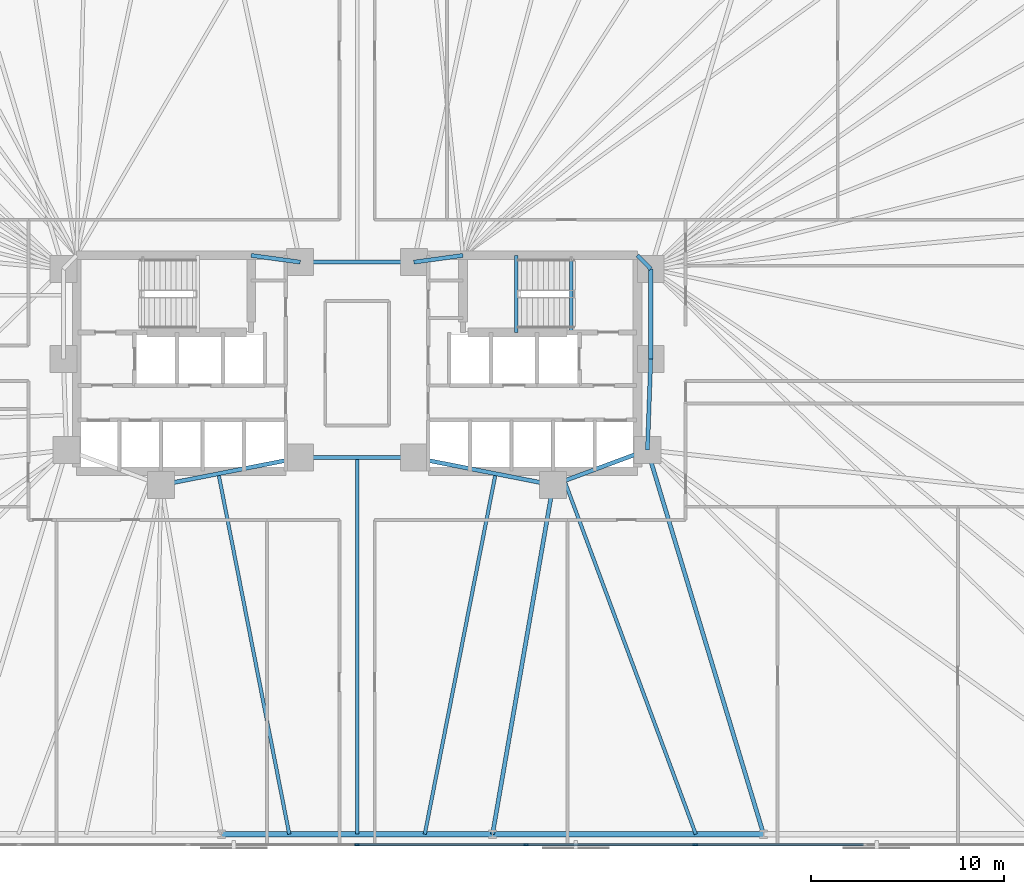
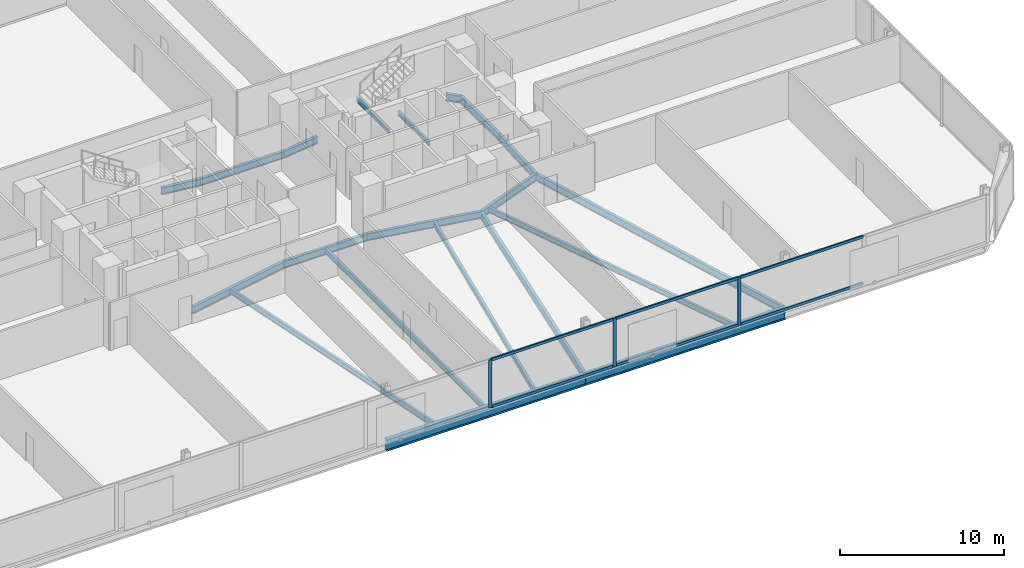
# One storey, part 7 of 17: 20 beams, 9 members, 1 element without a shape of its own.
"""IFC4 building model written with IfcOpenShell, lengths in metres."""

from ifc_helpers import new_model, si_unit, direction, frame, origin, origin_2d, place, context, subcontext, project, spatial, rectangle, i_section, extrude, material, material_profile, profile_set, type_object, element, aggregate, save


model = new_model("IFC4")

# Units and contexts
model_context = context("Model", 3, precision=1e-05, world=origin(), true_north=direction((0.0, 1.0)))
body_context = subcontext(model_context, "Body", "Model", "MODEL_VIEW")
ifc_project = project(units=[si_unit("LENGTHUNIT", "METRE"), si_unit("AREAUNIT", "SQUARE_METRE"), si_unit("VOLUMEUNIT", "CUBIC_METRE"), si_unit("PLANEANGLEUNIT", "RADIAN"), si_unit("MASSUNIT", "GRAM", prefix="KILO")], contexts=[model_context])

# Site, building, storey
site_placement = place(None, origin())
site = spatial("IfcSite", under=ifc_project, at=site_placement, CompositionType="ELEMENT")
building_placement = place(site_placement, origin())
building = spatial("IfcBuilding", under=site, at=building_placement, Name="Menara Jurai Vektor", CompositionType="ELEMENT")
storey_placement = place(building_placement, frame((0.0, 0.0, 56.0)))
storey = spatial("IfcBuildingStorey", under=building, at=storey_placement, Name="L13", CompositionType="ELEMENT", Elevation=56.0)

# Curtain wall, members
ifc_material_1 = material(Name="Anodised Pale Aluminium & Low-E Double Glazing", Category="aluminium")
curtain_wall_type = type_object("IfcCurtainWallType", Name="CW-BLK1", PredefinedType="NOTDEFINED", material=ifc_material_1)
curtain_wall_placement = place(storey_placement, origin())
curtain_wall = element("IfcCurtainWall", 1, at=curtain_wall_placement, inside=storey, type_object=curtain_wall_type, Name="Unitised Curtain Wall L13 F01", PredefinedType="NOTDEFINED")
ifc_material_2 = material(Name="Anodised Pale Aluminium Mullion", Category="aluminium")
ifc_material_profile_1 = material_profile(ifc_material_2, rectangle(XDim=0.094970703125, YDim=0.239990234375, at=origin_2d()), Name="ALU MUL 95x240")
ifc_profile_set_1 = profile_set([ifc_material_profile_1], Name="Anodised Pale Aluminium Mullion")
member_type_1 = type_object("IfcMemberType", Name="CW-BLK1-MUL", PredefinedType="MULLION", material=ifc_profile_set_1)
member_1_placement = place(storey_placement, frame((0.0, -25.0, 0.0), z_axis=(0.0, 0.0, 1.0), x_axis=(0.0, 1.0, 0.0)))
member_1 = element("IfcMember", 2, at=member_1_placement, type_object=member_type_1, Name="CW-01 mullion 5", PredefinedType="MULLION", context=body_context, shape_type="SweptSolid", body=[
    extrude(rectangle(XDim=0.094970703125, YDim=0.239990234375, at=origin_2d()), origin(), (0.0, 0.0, 1.0), 3.574951171875),
])
member_2_placement = place(storey_placement, frame((8.780029296875, -25.0, 0.0), z_axis=(0.0, 0.0, 1.0), x_axis=(0.0, 1.0, 0.0)))
member_2 = element("IfcMember", 3, at=member_2_placement, type_object=member_type_1, Name="CW-01 mullion 6", PredefinedType="MULLION", context=body_context, shape_type="SweptSolid", body=[
    extrude(rectangle(XDim=0.094970703125, YDim=0.239990234375, at=origin_2d()), origin(), (0.0, 0.0, 1.0), 3.574951171875),
])
member_3_placement = place(storey_placement, frame((17.56005859375, -25.0, 0.0), z_axis=(0.0, 0.0, 1.0), x_axis=(0.0, 1.0, 0.0)))
member_3 = element("IfcMember", 4, at=member_3_placement, type_object=member_type_1, Name="CW-01 mullion 7", PredefinedType="MULLION", context=body_context, shape_type="SweptSolid", body=[
    extrude(rectangle(XDim=0.094970703125, YDim=0.239990234375, at=origin_2d()), origin(), (0.0, 0.0, 1.0), 3.574951171875),
])
ifc_material_3 = material(Name="Anodised Pale Aluminium Transom", Category="aluminium")
ifc_material_profile_2 = material_profile(ifc_material_3, rectangle(XDim=0.094970703125, YDim=0.199951171875, at=origin_2d()), Name="ALU TRN 95x200")
ifc_profile_set_2 = profile_set([ifc_material_profile_2], Name="Anodised Pale Aluminium Transom")
member_type_2 = type_object("IfcMemberType", Name="CW-BLK1-TRN", PredefinedType="USERDEFINED", material=ifc_profile_set_2)
member_4_placement = place(storey_placement, frame((0.047607421875, -25.0, 0.047607421875), z_axis=(1.0, 0.0, 0.0), x_axis=(0.0, 1.0, 0.0)))
member_4 = element("IfcMember", 5, at=member_4_placement, type_object=member_type_2, Name="CW-01 transom 5.1", ObjectType="TRANSOM", PredefinedType="USERDEFINED", context=body_context, shape_type="SweptSolid", body=[
    extrude(rectangle(XDim=0.094970703125, YDim=0.199951171875, at=origin_2d()), origin(), (0.0, 0.0, 1.0), 8.684814453125),
])
member_5_placement = place(storey_placement, frame((0.047607421875, -25.0, 3.527587890625), z_axis=(1.0, 0.0, 0.0), x_axis=(0.0, 1.0, 0.0)))
member_5 = element("IfcMember", 6, at=member_5_placement, type_object=member_type_2, Name="CW-01 transom 5.2", ObjectType="TRANSOM", PredefinedType="USERDEFINED", context=body_context, shape_type="SweptSolid", body=[
    extrude(rectangle(XDim=0.094970703125, YDim=0.199951171875, at=origin_2d()), origin(), (0.0, 0.0, 1.0), 8.684814453125),
])
member_6_placement = place(storey_placement, frame((8.827392578125, -25.0, 0.047607421875), z_axis=(1.0, 0.0, 0.0), x_axis=(0.0, 1.0, 0.0)))
member_6 = element("IfcMember", 7, at=member_6_placement, type_object=member_type_2, Name="CW-01 transom 6.1", ObjectType="TRANSOM", PredefinedType="USERDEFINED", context=body_context, shape_type="SweptSolid", body=[
    extrude(rectangle(XDim=0.094970703125, YDim=0.199951171875, at=origin_2d()), origin(), (0.0, 0.0, 1.0), 8.68505859375),
])
member_7_placement = place(storey_placement, frame((8.827392578125, -25.0, 3.527587890625), z_axis=(1.0, 0.0, 0.0), x_axis=(0.0, 1.0, 0.0)))
member_7 = element("IfcMember", 8, at=member_7_placement, type_object=member_type_2, Name="CW-01 transom 6.2", ObjectType="TRANSOM", PredefinedType="USERDEFINED", context=body_context, shape_type="SweptSolid", body=[
    extrude(rectangle(XDim=0.094970703125, YDim=0.199951171875, at=origin_2d()), origin(), (0.0, 0.0, 1.0), 8.68505859375),
])
member_8_placement = place(storey_placement, frame((17.607421875, -25.0, 0.047607421875), z_axis=(1.0, 0.0, 0.0), x_axis=(0.0, 1.0, 0.0)))
member_8 = element("IfcMember", 9, at=member_8_placement, type_object=member_type_2, Name="CW-01 transom 7.1", ObjectType="TRANSOM", PredefinedType="USERDEFINED", context=body_context, shape_type="SweptSolid", body=[
    extrude(rectangle(XDim=0.094970703125, YDim=0.199951171875, at=origin_2d()), origin(), (0.0, 0.0, 1.0), 8.68505859375),
])
member_9_placement = place(storey_placement, frame((17.607421875, -25.0, 3.527587890625), z_axis=(1.0, 0.0, 0.0), x_axis=(0.0, 1.0, 0.0)))
member_9 = element("IfcMember", 10, at=member_9_placement, type_object=member_type_2, Name="CW-01 transom 7.2", ObjectType="TRANSOM", PredefinedType="USERDEFINED", context=body_context, shape_type="SweptSolid", body=[
    extrude(rectangle(XDim=0.094970703125, YDim=0.199951171875, at=origin_2d()), origin(), (0.0, 0.0, 1.0), 8.68505859375),
])
aggregate(curtain_wall, [member_1, member_2, member_3, member_4, member_5, member_6, member_7, member_8, member_9])

# Beams
ifc_material_4 = material(Name="Steel S355", Category="steel")
ifc_material_profile_3 = material_profile(ifc_material_4, i_section(OverallWidth=0.2109375, OverallDepth=0.5390625, WebThickness=0.011962890625, FlangeThickness=0.01904296875, FilletRadius=0.012939453125, at=origin_2d()), Name="UKB 533x210x109")
ifc_profile_set_3 = profile_set([ifc_material_profile_3], Name="Steel S355")
beam_type_1 = type_object("IfcBeamType", Name="STR-BM-533", PredefinedType="BEAM", material=ifc_profile_set_3)
beam_1_placement = place(storey_placement, frame((-5.5, 5.60009765625, -0.494384765625), z_axis=(0.990706818608, -0.136014703483, 0.0), x_axis=(0.136014703483, 0.990706818608, 0.0)))
element("IfcBeam", 11, at=beam_1_placement, inside=storey, type_object=beam_type_1, Name="Core Ring Header Girder L13-CHW-N2", PredefinedType="BEAM", context=body_context, shape_type="SweptSolid", body=[
    extrude(i_section(OverallWidth=0.2109375, OverallDepth=0.5390625, WebThickness=0.011962890625, FlangeThickness=0.01904296875, FilletRadius=0.012939453125, at=origin_2d()), origin(), (0.0, 0.0, 1.0), 2.573974609375),
])
beam_2_placement = place(storey_placement, frame((-10.179931640625, -6.320068359375, -0.494384765625), z_axis=(0.981249044334, 0.192744164614, 0.0), x_axis=(-0.192744164614, 0.981249044334, 0.0)))
element("IfcBeam", 12, at=beam_2_placement, inside=storey, type_object=beam_type_1, Name="Core Ring Header Girder L13-CHW-S2", PredefinedType="BEAM", context=body_context, shape_type="SweptSolid", body=[
    extrude(i_section(OverallWidth=0.2109375, OverallDepth=0.5390625, WebThickness=0.011962890625, FlangeThickness=0.01904296875, FilletRadius=0.012939453125, at=origin_2d()), origin(), (0.0, 0.0, 1.0), 7.3681640625),
])
beam_3_placement = place(storey_placement, frame((2.949951171875, 5.25, -0.494384765625), z_axis=(0.990706818608, 0.136014703483, 0.0), x_axis=(-0.136014703483, 0.990706818608, 0.0)))
element("IfcBeam", 13, at=beam_3_placement, inside=storey, type_object=beam_type_1, Name="Core Ring Header Girder L13-CHE-N1", PredefinedType="BEAM", context=body_context, shape_type="SweptSolid", body=[
    extrude(i_section(OverallWidth=0.2109375, OverallDepth=0.5390625, WebThickness=0.011962890625, FlangeThickness=0.01904296875, FilletRadius=0.012939453125, at=origin_2d()), origin(), (0.0, 0.0, 1.0), 2.573974609375),
])
beam_4_placement = place(storey_placement, frame((14.56005859375, 5.60009765625, -0.494384765625), z_axis=(0.701871936926, -0.712303154672, 0.0), x_axis=(0.712303154672, 0.701871936926, 0.0)))
element("IfcBeam", 14, at=beam_4_placement, inside=storey, type_object=beam_type_1, Name="Core Ring Header Girder L13-CHE-N2", PredefinedType="BEAM", context=body_context, shape_type="SweptSolid", body=[
    extrude(i_section(OverallWidth=0.2109375, OverallDepth=0.5390625, WebThickness=0.011962890625, FlangeThickness=0.01904296875, FilletRadius=0.012939453125, at=origin_2d()), origin(), (0.0, 0.0, 1.0), 0.98291015625),
])
beam_5_placement = place(storey_placement, frame((15.25, 0.219970703125, -0.494384765625), z_axis=(0.0, 1.0, 0.0), x_axis=(-1.0, 0.0, 0.0)))
element("IfcBeam", 15, at=beam_5_placement, inside=storey, type_object=beam_type_1, Name="Core Ring Header Girder L13-CHE-E1", PredefinedType="BEAM", context=body_context, shape_type="SweptSolid", body=[
    extrude(i_section(OverallWidth=0.2109375, OverallDepth=0.5390625, WebThickness=0.011962890625, FlangeThickness=0.01904296875, FilletRadius=0.012939453125, at=origin_2d()), origin(), (0.0, 0.0, 1.0), 4.679931640625),
])
beam_6_placement = place(storey_placement, frame((15.080078125, -4.5, -0.494384765625), z_axis=(0.035977314146, 0.999352606874, 0.0), x_axis=(-0.999352606874, 0.035977314146, 0.0)))
element("IfcBeam", 16, at=beam_6_placement, inside=storey, type_object=beam_type_1, Name="Core Ring Header Girder L13-CHE-E2", PredefinedType="BEAM", context=body_context, shape_type="SweptSolid", body=[
    extrude(i_section(OverallWidth=0.2109375, OverallDepth=0.5390625, WebThickness=0.011962890625, FlangeThickness=0.01904296875, FilletRadius=0.012939453125, at=origin_2d()), origin(), (0.0, 0.0, 1.0), 4.72314453125),
])
beam_7_placement = place(storey_placement, frame((10.179931640625, -6.320068359375, -0.494384765625), z_axis=(0.937424400887, 0.348188874925, 0.0), x_axis=(-0.348188874925, 0.937424400887, 0.0)))
element("IfcBeam", 17, at=beam_7_placement, inside=storey, type_object=beam_type_1, Name="Core Ring Header Girder L13-CHE-S1", PredefinedType="BEAM", context=body_context, shape_type="SweptSolid", body=[
    extrude(i_section(OverallWidth=0.2109375, OverallDepth=0.5390625, WebThickness=0.011962890625, FlangeThickness=0.01904296875, FilletRadius=0.012939453125, at=origin_2d()), origin(), (0.0, 0.0, 1.0), 5.227294921875),
])
beam_8_placement = place(storey_placement, frame((2.949951171875, -4.89990234375, -0.494384765625), z_axis=(0.981249044334, -0.192744164614, 0.0), x_axis=(0.192744164614, 0.981249044334, 0.0)))
element("IfcBeam", 18, at=beam_8_placement, inside=storey, type_object=beam_type_1, Name="Core Ring Header Girder L13-CHE-S2", PredefinedType="BEAM", context=body_context, shape_type="SweptSolid", body=[
    extrude(i_section(OverallWidth=0.2109375, OverallDepth=0.5390625, WebThickness=0.011962890625, FlangeThickness=0.01904296875, FilletRadius=0.012939453125, at=origin_2d()), origin(), (0.0, 0.0, 1.0), 7.3681640625),
])
for number, where, z_axis, x_axis, name in (
    (19, (-2.949951171875, -4.89990234375, -0.494384765625), (1.0, 0.0, 0.0), (0.0, 1.0, 0.0), "Core Ring Header Girder L13-CC-1"),
    (20, (-2.949951171875, 5.25, -0.494384765625), (1.0, 0.0, 0.0), (0.0, 1.0, 0.0), "Core Ring Header Girder L13-CC-2"),
):
    element("IfcBeam", number, at=place(storey_placement, frame(where, z_axis=z_axis, x_axis=x_axis)), inside=storey, type_object=beam_type_1, Name=name, PredefinedType="BEAM", context=body_context, shape_type="SweptSolid", body=[
        extrude(i_section(OverallWidth=0.2109375, OverallDepth=0.5390625, WebThickness=0.011962890625, FlangeThickness=0.01904296875, FilletRadius=0.012939453125, at=origin_2d()), origin(), (0.0, 0.0, 1.0), 5.89990234375),
    ])
beam_9_placement = place(storey_placement, frame((7.03564453125, -24.449951171875, -0.494384765625), z_axis=(0.170880325642, 0.985291791455, 0.0), x_axis=(-0.985291791455, 0.170880325642, 0.0)))
element("IfcBeam", 21, at=beam_9_placement, inside=storey, type_object=beam_type_1, Name="Radial Floor Girder L13-S4", PredefinedType="BEAM", context=body_context, shape_type="SweptSolid", body=[
    extrude(i_section(OverallWidth=0.2109375, OverallDepth=0.5390625, WebThickness=0.011962890625, FlangeThickness=0.01904296875, FilletRadius=0.012939453125, at=origin_2d()), origin(), (0.0, 0.0, 1.0), 18.400634765625),
])
beam_10_placement = place(storey_placement, frame((21.106689453125, -24.449951171875, -0.494384765625), z_axis=(-0.289179812203, 0.957274796604, 0.0), x_axis=(-0.957274796604, -0.289179812203, 0.0)))
element("IfcBeam", 22, at=beam_10_placement, inside=storey, type_object=beam_type_1, Name="Radial Floor Girder L13-S5", PredefinedType="BEAM", context=body_context, shape_type="SweptSolid", body=[
    extrude(i_section(OverallWidth=0.2109375, OverallDepth=0.5390625, WebThickness=0.011962890625, FlangeThickness=0.01904296875, FilletRadius=0.012939453125, at=origin_2d()), origin(), (0.0, 0.0, 1.0), 20.84033203125),
])
ifc_material_profile_4 = material_profile(ifc_material_4, i_section(OverallWidth=0.178955078125, OverallDepth=0.408935546875, WebThickness=0.009033203125, FlangeThickness=0.013916015625, FilletRadius=0.010009765625, at=origin_2d()), Name="UKB 406x178x67")
ifc_profile_set_4 = profile_set([ifc_material_profile_4], Name="Steel S355")
beam_type_2 = type_object("IfcBeamType", Name="STR-JS-406", PredefinedType="JOIST", material=ifc_profile_set_4)
beam_11_placement = place(storey_placement, frame((-3.517822265625, -24.449951171875, -0.429443359375), z_axis=(-0.192723076671, 0.981253186348, 0.0), x_axis=(-0.981253186348, -0.192723076671, 0.0)))
element("IfcBeam", 23, at=beam_11_placement, inside=storey, type_object=beam_type_2, Name="Radial Secondary Floor Joist L13-JS04", PredefinedType="JOIST", context=body_context, shape_type="SweptSolid", body=[
    extrude(i_section(OverallWidth=0.178955078125, OverallDepth=0.408935546875, WebThickness=0.009033203125, FlangeThickness=0.013916015625, FilletRadius=0.010009765625, at=origin_2d()), origin(), (0.0, 0.0, 1.0), 19.07421875),
])
beam_12_placement = place(storey_placement, frame((0.0, -24.449951171875, -0.429443359375), z_axis=(0.0, 1.0, 0.0), x_axis=(-1.0, 0.0, 0.0)))
element("IfcBeam", 24, at=beam_12_placement, inside=storey, type_object=beam_type_2, Name="Radial Secondary Floor Joist L13-JS05", PredefinedType="JOIST", context=body_context, shape_type="SweptSolid", body=[
    extrude(i_section(OverallWidth=0.178955078125, OverallDepth=0.408935546875, WebThickness=0.009033203125, FlangeThickness=0.013916015625, FilletRadius=0.010009765625, at=origin_2d()), origin(), (0.0, 0.0, 1.0), 19.550048828125),
])
beam_13_placement = place(storey_placement, frame((3.517822265625, -24.449951171875, -0.429443359375), z_axis=(0.192723076671, 0.981253186348, 0.0), x_axis=(-0.981253186348, 0.192723076671, 0.0)))
element("IfcBeam", 25, at=beam_13_placement, inside=storey, type_object=beam_type_2, Name="Radial Secondary Floor Joist L13-JS06", PredefinedType="JOIST", context=body_context, shape_type="SweptSolid", body=[
    extrude(i_section(OverallWidth=0.178955078125, OverallDepth=0.408935546875, WebThickness=0.009033203125, FlangeThickness=0.013916015625, FilletRadius=0.010009765625, at=origin_2d()), origin(), (0.0, 0.0, 1.0), 19.07421875),
])
beam_14_placement = place(storey_placement, frame((17.5888671875, -24.449951171875, -0.429443359375), z_axis=(-0.348179014223, 0.937428063403, 0.0), x_axis=(-0.937428063403, -0.348179014223, 0.0)))
element("IfcBeam", 26, at=beam_14_placement, inside=storey, type_object=beam_type_2, Name="Radial Secondary Floor Joist L13-JS07", PredefinedType="JOIST", context=body_context, shape_type="SweptSolid", body=[
    extrude(i_section(OverallWidth=0.178955078125, OverallDepth=0.408935546875, WebThickness=0.009033203125, FlangeThickness=0.013916015625, FilletRadius=0.010009765625, at=origin_2d()), origin(), (0.0, 0.0, 1.0), 19.5751953125),
])
ifc_material_profile_5 = material_profile(ifc_material_4, i_section(OverallWidth=0.1650390625, OverallDepth=0.302978515625, WebThickness=0.006103515625, FlangeThickness=0.010009765625, FilletRadius=0.009033203125, at=origin_2d()), Name="UKB 305x165x40")
ifc_profile_set_5 = profile_set([ifc_material_profile_5], Name="Steel S355")
beam_type_3 = type_object("IfcBeamType", Name="STR-LN-305", PredefinedType="LINTEL", material=ifc_profile_set_5)
beam_15_placement = place(storey_placement, frame((11.1201171875, 1.60009765625, -0.37646484375), z_axis=(0.0, 1.0, 0.0), x_axis=(-1.0, 0.0, 0.0)))
element("IfcBeam", 27, at=beam_15_placement, inside=storey, type_object=beam_type_3, Name="Stair Well Floor Trimmer ST2 L13", PredefinedType="LINTEL", context=body_context, shape_type="SweptSolid", body=[
    extrude(i_section(OverallWidth=0.1650390625, OverallDepth=0.302978515625, WebThickness=0.006103515625, FlangeThickness=0.010009765625, FilletRadius=0.009033203125, at=origin_2d()), origin(), (0.0, 0.0, 1.0), 3.81982421875),
])
beam_16_placement = place(storey_placement, frame((8.27001953125, 1.60009765625, 1.548583984375), z_axis=(0.0, 1.0, 0.0), x_axis=(-1.0, 0.0, 0.0)))
element("IfcBeam", 28, at=beam_16_placement, inside=storey, type_object=beam_type_3, Name="Stair Half-Landing Nosing Trimmer ST2-1 L13", PredefinedType="LINTEL", context=body_context, shape_type="SweptSolid", body=[
    extrude(i_section(OverallWidth=0.1650390625, OverallDepth=0.302978515625, WebThickness=0.006103515625, FlangeThickness=0.010009765625, FilletRadius=0.009033203125, at=origin_2d()), origin(), (0.0, 0.0, 1.0), 4.0),
])
ifc_material_5 = material(Name="Steel S460", Category="steel")
ifc_material_profile_6 = material_profile(ifc_material_5, i_section(OverallWidth=0.2939453125, OverallDepth=0.85107421875, WebThickness=0.01611328125, FlangeThickness=0.027099609375, FilletRadius=0.01806640625, at=origin_2d()), Name="UKB 838x292x226")
ifc_profile_set_6 = profile_set([ifc_material_profile_6], Name="Steel S460")
beam_type_4 = type_object("IfcBeamType", Name="STR-SP-838", PredefinedType="SPANDREL", material=ifc_profile_set_6)
beam_17_placement = place(storey_placement, frame((-7.03564453125, -24.449951171875, -0.650390625), z_axis=(1.0, 0.0, 0.0), x_axis=(0.0, 1.0, 0.0)))
element("IfcBeam", 29, at=beam_17_placement, inside=storey, type_object=beam_type_4, Name="Exoskeleton Spandrel Beam L13-03", PredefinedType="SPANDREL", context=body_context, shape_type="SweptSolid", body=[
    extrude(i_section(OverallWidth=0.2939453125, OverallDepth=0.85107421875, WebThickness=0.01611328125, FlangeThickness=0.027099609375, FilletRadius=0.01806640625, at=origin_2d()), origin(), (0.0, 0.0, 1.0), 14.0712890625),
])
beam_18_placement = place(storey_placement, frame((7.03564453125, -24.449951171875, -0.650390625), z_axis=(1.0, 0.0, 0.0), x_axis=(0.0, 1.0, 0.0)))
element("IfcBeam", 30, at=beam_18_placement, inside=storey, type_object=beam_type_4, Name="Exoskeleton Spandrel Beam L13-04", PredefinedType="SPANDREL", context=body_context, shape_type="SweptSolid", body=[
    extrude(i_section(OverallWidth=0.2939453125, OverallDepth=0.85107421875, WebThickness=0.01611328125, FlangeThickness=0.027099609375, FilletRadius=0.01806640625, at=origin_2d()), origin(), (0.0, 0.0, 1.0), 14.071044921875),
])

save(model, "model.ifc")
